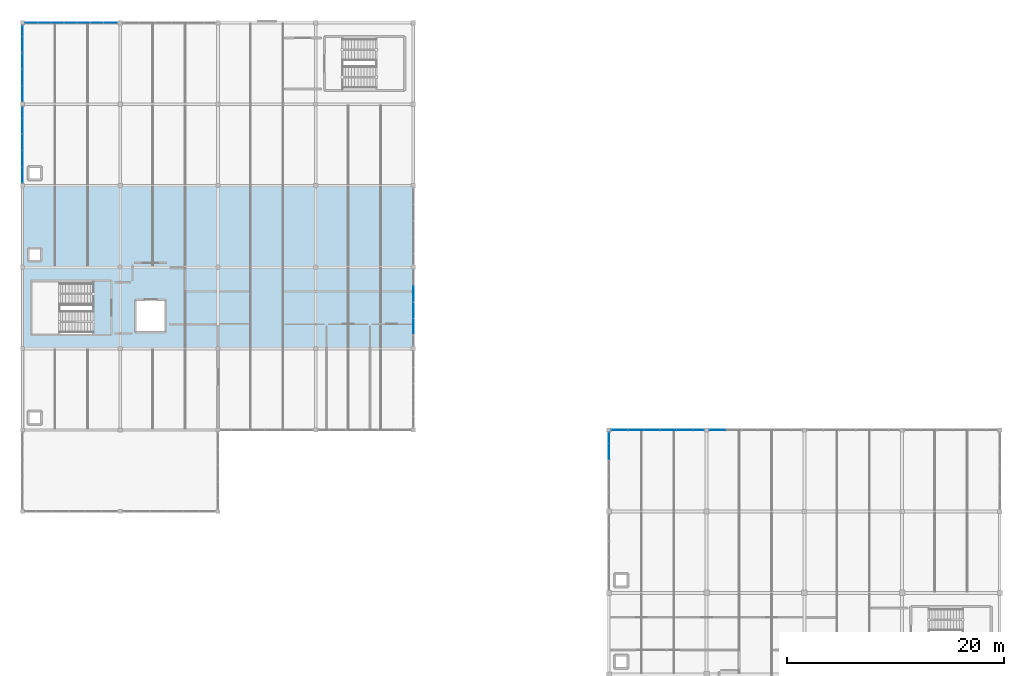
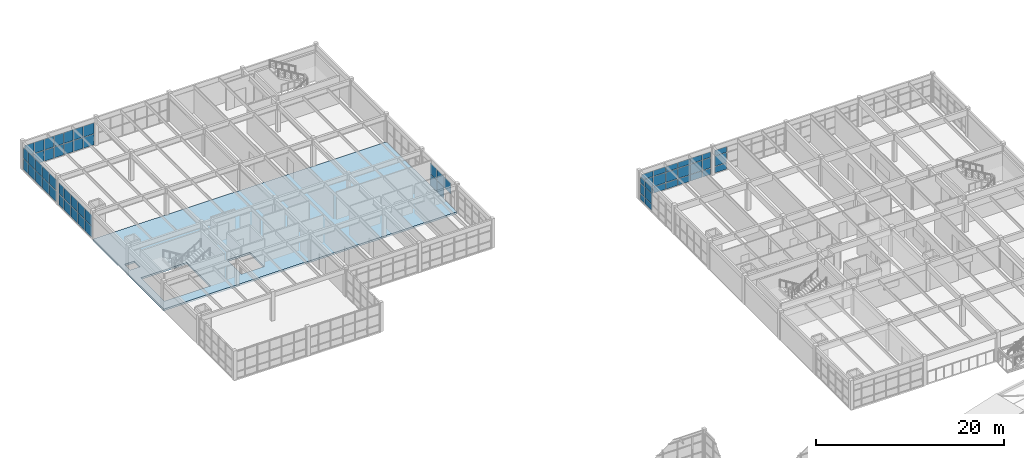
# One storey, part 58 of 81: 66 plates, 1 slab, 7 elements without a shape of their own.
"""IFC4 building model written with IfcOpenShell, lengths in metres."""

from ifc_helpers import new_model, si_unit, direction, frame, origin, origin_2d, place, context, subcontext, project, spatial, polyline, rectangle, outline, extrude, material, layer, layer_set, type_object, element, aggregate, save


model = new_model("IFC4")

# Units and contexts
model_context = context("Model", 3, precision=1e-05, world=origin(), true_north=direction((0.0, 1.0)))
body_context = subcontext(model_context, "Body", "Model", "MODEL_VIEW")
ifc_project = project(units=[si_unit("LENGTHUNIT", "METRE"), si_unit("AREAUNIT", "SQUARE_METRE"), si_unit("VOLUMEUNIT", "CUBIC_METRE"), si_unit("PLANEANGLEUNIT", "RADIAN"), si_unit("MASSUNIT", "GRAM", prefix="KILO")], contexts=[model_context])

# Site, building, storey
site_placement = place(None, origin())
site = spatial("IfcSite", under=ifc_project, at=site_placement, CompositionType="ELEMENT")
building_placement = place(site_placement, origin())
building = spatial("IfcBuilding", under=site, at=building_placement, Name="Marnridge Secondary College", CompositionType="ELEMENT")
storey_placement = place(building_placement, frame((0.0, 0.0, 8.5)))
storey = spatial("IfcBuildingStorey", under=building, at=storey_placement, Name="L02", CompositionType="ELEMENT", Elevation=8.5)

# Curtain wall, plates
ifc_material_1 = material(Name="Thermally broken aluminium and low-E glazing", Category="aluminium")
ifc_layer_1 = layer(ifc_material_1, 0.159912109375)
ifc_layer_set_1 = layer_set([ifc_layer_1], Name="CW-MOD-1500")
curtain_wall_type_1 = type_object("IfcCurtainWallType", Name="CW-MOD-1500", PredefinedType="NOTDEFINED", material=ifc_layer_set_1)
curtain_wall_1_placement = place(storey_placement, origin())
curtain_wall_1 = element("IfcCurtainWall", 1, at=curtain_wall_1_placement, inside=storey, type_object=curtain_wall_type_1, Name="Unitised curtain wall CW-L02-073", PredefinedType="NOTDEFINED")
ifc_material_2 = material(Name="Double-glazed low-E argon unit", Category="glass")
ifc_layer_2 = layer(ifc_material_2, 0.028076171875)
ifc_layer_set_2 = layer_set([ifc_layer_2], Name="CWP-GLZ28")
plate_type = type_object("IfcPlateType", Name="CWP-GLZ28", PredefinedType="CURTAIN_PANEL", material=ifc_layer_set_2)
plate_1_placement = place(storey_placement, frame((54.98388671875, 82.5, 0.06005859375), z_axis=(0.0, 0.0, 1.0), x_axis=(1.0, 0.0, 0.0)))
plate_1 = element("IfcPlate", 2, at=plate_1_placement, type_object=plate_type, Name="CW-L02-073 panel 1.1", PredefinedType="CURTAIN_PANEL", context=body_context, shape_type="SweptSolid", body=[
    extrude(rectangle(XDim=1.43994140625, YDim=0.028076171875, at=origin_2d()), origin(), (0.0, 0.0, 1.0), 0.81005859375),
])
plate_2_placement = place(storey_placement, frame((54.98388671875, 82.5, 0.929931640625), z_axis=(0.0, 0.0, 1.0), x_axis=(1.0, 0.0, 0.0)))
plate_2 = element("IfcPlate", 3, at=plate_2_placement, type_object=plate_type, Name="CW-L02-073 panel 1.2", PredefinedType="CURTAIN_PANEL", context=body_context, shape_type="SweptSolid", body=[
    extrude(rectangle(XDim=1.43994140625, YDim=0.028076171875, at=origin_2d()), origin(), (0.0, 0.0, 1.0), 1.2900390625),
])
plate_3_placement = place(storey_placement, frame((54.98388671875, 82.5, 2.280029296875), z_axis=(0.0, 0.0, 1.0), x_axis=(1.0, 0.0, 0.0)))
plate_3 = element("IfcPlate", 4, at=plate_3_placement, type_object=plate_type, Name="CW-L02-073 panel 1.3", PredefinedType="CURTAIN_PANEL", context=body_context, shape_type="SweptSolid", body=[
    extrude(rectangle(XDim=1.43994140625, YDim=0.028076171875, at=origin_2d()), origin(), (0.0, 0.0, 1.0), 0.70703125),
])
plate_4_placement = place(storey_placement, frame((56.48388671875, 82.5, 0.06005859375), z_axis=(0.0, 0.0, 1.0), x_axis=(1.0, 0.0, 0.0)))
plate_4 = element("IfcPlate", 5, at=plate_4_placement, type_object=plate_type, Name="CW-L02-073 panel 2.1", PredefinedType="CURTAIN_PANEL", context=body_context, shape_type="SweptSolid", body=[
    extrude(rectangle(XDim=1.43994140625, YDim=0.028076171875, at=origin_2d()), origin(), (0.0, 0.0, 1.0), 0.81005859375),
])
plate_5_placement = place(storey_placement, frame((56.48388671875, 82.5, 0.929931640625), z_axis=(0.0, 0.0, 1.0), x_axis=(1.0, 0.0, 0.0)))
plate_5 = element("IfcPlate", 6, at=plate_5_placement, type_object=plate_type, Name="CW-L02-073 panel 2.2", PredefinedType="CURTAIN_PANEL", context=body_context, shape_type="SweptSolid", body=[
    extrude(rectangle(XDim=1.43994140625, YDim=0.028076171875, at=origin_2d()), origin(), (0.0, 0.0, 1.0), 1.2900390625),
])
plate_6_placement = place(storey_placement, frame((56.48388671875, 82.5, 2.280029296875), z_axis=(0.0, 0.0, 1.0), x_axis=(1.0, 0.0, 0.0)))
plate_6 = element("IfcPlate", 7, at=plate_6_placement, type_object=plate_type, Name="CW-L02-073 panel 2.3", PredefinedType="CURTAIN_PANEL", context=body_context, shape_type="SweptSolid", body=[
    extrude(rectangle(XDim=1.43994140625, YDim=0.028076171875, at=origin_2d()), origin(), (0.0, 0.0, 1.0), 0.70703125),
])
plate_7_placement = place(storey_placement, frame((57.98388671875, 82.5, 0.06005859375), z_axis=(0.0, 0.0, 1.0), x_axis=(1.0, 0.0, 0.0)))
plate_7 = element("IfcPlate", 8, at=plate_7_placement, type_object=plate_type, Name="CW-L02-073 panel 3.1", PredefinedType="CURTAIN_PANEL", context=body_context, shape_type="SweptSolid", body=[
    extrude(rectangle(XDim=1.43994140625, YDim=0.028076171875, at=origin_2d()), origin(), (0.0, 0.0, 1.0), 0.81005859375),
])
plate_8_placement = place(storey_placement, frame((57.98388671875, 82.5, 0.929931640625), z_axis=(0.0, 0.0, 1.0), x_axis=(1.0, 0.0, 0.0)))
plate_8 = element("IfcPlate", 9, at=plate_8_placement, type_object=plate_type, Name="CW-L02-073 panel 3.2", PredefinedType="CURTAIN_PANEL", context=body_context, shape_type="SweptSolid", body=[
    extrude(rectangle(XDim=1.43994140625, YDim=0.028076171875, at=origin_2d()), origin(), (0.0, 0.0, 1.0), 1.2900390625),
])
plate_9_placement = place(storey_placement, frame((57.98388671875, 82.5, 2.280029296875), z_axis=(0.0, 0.0, 1.0), x_axis=(1.0, 0.0, 0.0)))
plate_9 = element("IfcPlate", 10, at=plate_9_placement, type_object=plate_type, Name="CW-L02-073 panel 3.3", PredefinedType="CURTAIN_PANEL", context=body_context, shape_type="SweptSolid", body=[
    extrude(rectangle(XDim=1.43994140625, YDim=0.028076171875, at=origin_2d()), origin(), (0.0, 0.0, 1.0), 0.70703125),
])
plate_10_placement = place(storey_placement, frame((59.48388671875, 82.5, 0.06005859375), z_axis=(0.0, 0.0, 1.0), x_axis=(1.0, 0.0, 0.0)))
plate_10 = element("IfcPlate", 11, at=plate_10_placement, type_object=plate_type, Name="CW-L02-073 panel 4.1", PredefinedType="CURTAIN_PANEL", context=body_context, shape_type="SweptSolid", body=[
    extrude(rectangle(XDim=1.43994140625, YDim=0.028076171875, at=origin_2d()), origin(), (0.0, 0.0, 1.0), 0.81005859375),
])
plate_11_placement = place(storey_placement, frame((59.48388671875, 82.5, 0.929931640625), z_axis=(0.0, 0.0, 1.0), x_axis=(1.0, 0.0, 0.0)))
plate_11 = element("IfcPlate", 12, at=plate_11_placement, type_object=plate_type, Name="CW-L02-073 panel 4.2", PredefinedType="CURTAIN_PANEL", context=body_context, shape_type="SweptSolid", body=[
    extrude(rectangle(XDim=1.43994140625, YDim=0.028076171875, at=origin_2d()), origin(), (0.0, 0.0, 1.0), 1.2900390625),
])
plate_12_placement = place(storey_placement, frame((59.48388671875, 82.5, 2.280029296875), z_axis=(0.0, 0.0, 1.0), x_axis=(1.0, 0.0, 0.0)))
plate_12 = element("IfcPlate", 13, at=plate_12_placement, type_object=plate_type, Name="CW-L02-073 panel 4.3", PredefinedType="CURTAIN_PANEL", context=body_context, shape_type="SweptSolid", body=[
    extrude(rectangle(XDim=1.43994140625, YDim=0.028076171875, at=origin_2d()), origin(), (0.0, 0.0, 1.0), 0.70703125),
])
plate_13_placement = place(storey_placement, frame((60.98388671875, 82.5, 0.06005859375), z_axis=(0.0, 0.0, 1.0), x_axis=(1.0, 0.0, 0.0)))
plate_13 = element("IfcPlate", 14, at=plate_13_placement, type_object=plate_type, Name="CW-L02-073 panel 5.1", PredefinedType="CURTAIN_PANEL", context=body_context, shape_type="SweptSolid", body=[
    extrude(rectangle(XDim=1.43994140625, YDim=0.028076171875, at=origin_2d()), origin(), (0.0, 0.0, 1.0), 0.81005859375),
])
plate_14_placement = place(storey_placement, frame((60.98388671875, 82.5, 0.929931640625), z_axis=(0.0, 0.0, 1.0), x_axis=(1.0, 0.0, 0.0)))
plate_14 = element("IfcPlate", 15, at=plate_14_placement, type_object=plate_type, Name="CW-L02-073 panel 5.2", PredefinedType="CURTAIN_PANEL", context=body_context, shape_type="SweptSolid", body=[
    extrude(rectangle(XDim=1.43994140625, YDim=0.028076171875, at=origin_2d()), origin(), (0.0, 0.0, 1.0), 1.2900390625),
])
plate_15_placement = place(storey_placement, frame((60.98388671875, 82.5, 2.280029296875), z_axis=(0.0, 0.0, 1.0), x_axis=(1.0, 0.0, 0.0)))
plate_15 = element("IfcPlate", 16, at=plate_15_placement, type_object=plate_type, Name="CW-L02-073 panel 5.3", PredefinedType="CURTAIN_PANEL", context=body_context, shape_type="SweptSolid", body=[
    extrude(rectangle(XDim=1.43994140625, YDim=0.028076171875, at=origin_2d()), origin(), (0.0, 0.0, 1.0), 0.70703125),
])
plate_16_placement = place(storey_placement, frame((62.25, 82.5, 0.06005859375), z_axis=(0.0, 0.0, 1.0), x_axis=(1.0, 0.0, 0.0)))
plate_16 = element("IfcPlate", 17, at=plate_16_placement, type_object=plate_type, Name="CW-L02-073 panel 6.1", PredefinedType="CURTAIN_PANEL", context=body_context, shape_type="SweptSolid", body=[
    extrude(rectangle(XDim=0.971923828125, YDim=0.028076171875, at=origin_2d()), origin(), (0.0, 0.0, 1.0), 0.81005859375),
])
plate_17_placement = place(storey_placement, frame((62.25, 82.5, 0.929931640625), z_axis=(0.0, 0.0, 1.0), x_axis=(1.0, 0.0, 0.0)))
plate_17 = element("IfcPlate", 18, at=plate_17_placement, type_object=plate_type, Name="CW-L02-073 panel 6.2", PredefinedType="CURTAIN_PANEL", context=body_context, shape_type="SweptSolid", body=[
    extrude(rectangle(XDim=0.971923828125, YDim=0.028076171875, at=origin_2d()), origin(), (0.0, 0.0, 1.0), 1.2900390625),
])
plate_18_placement = place(storey_placement, frame((62.25, 82.5, 2.280029296875), z_axis=(0.0, 0.0, 1.0), x_axis=(1.0, 0.0, 0.0)))
plate_18 = element("IfcPlate", 19, at=plate_18_placement, type_object=plate_type, Name="CW-L02-073 panel 6.3", PredefinedType="CURTAIN_PANEL", context=body_context, shape_type="SweptSolid", body=[
    extrude(rectangle(XDim=0.971923828125, YDim=0.028076171875, at=origin_2d()), origin(), (0.0, 0.0, 1.0), 0.70703125),
])
aggregate(curtain_wall_1, [plate_1, plate_2, plate_3, plate_4, plate_5, plate_6, plate_7, plate_8, plate_9, plate_10, plate_11, plate_12, plate_13, plate_14, plate_15, plate_16, plate_17, plate_18])

curtain_wall_2_placement = place(storey_placement, origin())
curtain_wall_2 = element("IfcCurtainWall", 20, at=curtain_wall_2_placement, inside=storey, type_object=curtain_wall_type_1, Name="Unitised curtain wall CW-L02-074", PredefinedType="NOTDEFINED")
plate_19_placement = place(storey_placement, frame((63.98388671875, 82.5, 0.06005859375), z_axis=(0.0, 0.0, 1.0), x_axis=(1.0, 0.0, 0.0)))
plate_19 = element("IfcPlate", 21, at=plate_19_placement, type_object=plate_type, Name="CW-L02-074 panel 1.1", PredefinedType="CURTAIN_PANEL", context=body_context, shape_type="SweptSolid", body=[
    extrude(rectangle(XDim=1.43994140625, YDim=0.028076171875, at=origin_2d()), origin(), (0.0, 0.0, 1.0), 0.81005859375),
])
plate_20_placement = place(storey_placement, frame((63.98388671875, 82.5, 0.929931640625), z_axis=(0.0, 0.0, 1.0), x_axis=(1.0, 0.0, 0.0)))
plate_20 = element("IfcPlate", 22, at=plate_20_placement, type_object=plate_type, Name="CW-L02-074 panel 1.2", PredefinedType="CURTAIN_PANEL", context=body_context, shape_type="SweptSolid", body=[
    extrude(rectangle(XDim=1.43994140625, YDim=0.028076171875, at=origin_2d()), origin(), (0.0, 0.0, 1.0), 1.2900390625),
])
plate_21_placement = place(storey_placement, frame((63.98388671875, 82.5, 2.280029296875), z_axis=(0.0, 0.0, 1.0), x_axis=(1.0, 0.0, 0.0)))
plate_21 = element("IfcPlate", 23, at=plate_21_placement, type_object=plate_type, Name="CW-L02-074 panel 1.3", PredefinedType="CURTAIN_PANEL", context=body_context, shape_type="SweptSolid", body=[
    extrude(rectangle(XDim=1.43994140625, YDim=0.028076171875, at=origin_2d()), origin(), (0.0, 0.0, 1.0), 0.70703125),
])
aggregate(curtain_wall_2, [plate_19, plate_20, plate_21])

curtain_wall_3_placement = place(storey_placement, origin())
curtain_wall_3 = element("IfcCurtainWall", 24, at=curtain_wall_3_placement, inside=storey, type_object=curtain_wall_type_1, Name="Unitised curtain wall CW-L02-084", PredefinedType="NOTDEFINED")
plate_22_placement = place(storey_placement, frame((54.0, 80.509033203125, 0.06005859375), z_axis=(0.0, 0.0, 1.0), x_axis=(0.0, 1.0, 0.0)))
plate_22 = element("IfcPlate", 25, at=plate_22_placement, type_object=plate_type, Name="CW-L02-084 panel 4.1", PredefinedType="CURTAIN_PANEL", context=body_context, shape_type="SweptSolid", body=[
    extrude(rectangle(XDim=1.43994140625, YDim=0.028076171875, at=origin_2d()), origin(), (0.0, 0.0, 1.0), 0.81005859375),
])
plate_23_placement = place(storey_placement, frame((54.0, 80.509033203125, 0.929931640625), z_axis=(0.0, 0.0, 1.0), x_axis=(0.0, 1.0, 0.0)))
plate_23 = element("IfcPlate", 26, at=plate_23_placement, type_object=plate_type, Name="CW-L02-084 panel 4.2", PredefinedType="CURTAIN_PANEL", context=body_context, shape_type="SweptSolid", body=[
    extrude(rectangle(XDim=1.43994140625, YDim=0.028076171875, at=origin_2d()), origin(), (0.0, 0.0, 1.0), 1.2900390625),
])
plate_24_placement = place(storey_placement, frame((54.0, 80.509033203125, 2.280029296875), z_axis=(0.0, 0.0, 1.0), x_axis=(0.0, 1.0, 0.0)))
plate_24 = element("IfcPlate", 27, at=plate_24_placement, type_object=plate_type, Name="CW-L02-084 panel 4.3", PredefinedType="CURTAIN_PANEL", context=body_context, shape_type="SweptSolid", body=[
    extrude(rectangle(XDim=1.43994140625, YDim=0.028076171875, at=origin_2d()), origin(), (0.0, 0.0, 1.0), 0.70703125),
])
plate_25_placement = place(storey_placement, frame((54.0, 81.762451171875, 0.06005859375), z_axis=(0.0, 0.0, 1.0), x_axis=(0.0, 1.0, 0.0)))
plate_25 = element("IfcPlate", 28, at=plate_25_placement, type_object=plate_type, Name="CW-L02-084 panel 5.1", PredefinedType="CURTAIN_PANEL", context=body_context, shape_type="SweptSolid", body=[
    extrude(rectangle(XDim=0.947021484375, YDim=0.028076171875, at=origin_2d()), origin(), (0.0, 0.0, 1.0), 0.81005859375),
])
plate_26_placement = place(storey_placement, frame((54.0, 81.762451171875, 0.929931640625), z_axis=(0.0, 0.0, 1.0), x_axis=(0.0, 1.0, 0.0)))
plate_26 = element("IfcPlate", 29, at=plate_26_placement, type_object=plate_type, Name="CW-L02-084 panel 5.2", PredefinedType="CURTAIN_PANEL", context=body_context, shape_type="SweptSolid", body=[
    extrude(rectangle(XDim=0.947021484375, YDim=0.028076171875, at=origin_2d()), origin(), (0.0, 0.0, 1.0), 1.2900390625),
])
plate_27_placement = place(storey_placement, frame((54.0, 81.762451171875, 2.280029296875), z_axis=(0.0, 0.0, 1.0), x_axis=(0.0, 1.0, 0.0)))
plate_27 = element("IfcPlate", 30, at=plate_27_placement, type_object=plate_type, Name="CW-L02-084 panel 5.3", PredefinedType="CURTAIN_PANEL", context=body_context, shape_type="SweptSolid", body=[
    extrude(rectangle(XDim=0.947021484375, YDim=0.028076171875, at=origin_2d()), origin(), (0.0, 0.0, 1.0), 0.70703125),
])
aggregate(curtain_wall_3, [plate_22, plate_23, plate_24, plate_25, plate_26, plate_27])

ifc_material_3 = material(Name="Thermally broken aluminium and low-E glazing", Category="aluminium")
ifc_layer_3 = layer(ifc_material_3, 0.179931640625)
ifc_layer_set_3 = layer_set([ifc_layer_3], Name="CW-MOD-1200")
curtain_wall_type_2 = type_object("IfcCurtainWallType", Name="CW-MOD-1200", PredefinedType="NOTDEFINED", material=ifc_layer_set_3)
curtain_wall_4_placement = place(storey_placement, origin())
curtain_wall_4 = element("IfcCurtainWall", 31, at=curtain_wall_4_placement, inside=storey, type_object=curtain_wall_type_2, Name="Unitised curtain wall CW-L02-087", PredefinedType="NOTDEFINED")
plate_28_placement = place(storey_placement, frame((0.83642578125, 120.0, 0.06005859375), z_axis=(0.0, 0.0, 1.0), x_axis=(1.0, 0.0, 0.0)))
plate_28 = element("IfcPlate", 32, at=plate_28_placement, type_object=plate_type, Name="CW-L02-087 panel 1.1", PredefinedType="CURTAIN_PANEL", context=body_context, shape_type="SweptSolid", body=[
    extrude(rectangle(XDim=1.135009765625, YDim=0.028076171875, at=origin_2d()), origin(), (0.0, 0.0, 1.0), 1.404052734375),
])
plate_29_placement = place(storey_placement, frame((0.83642578125, 120.0, 1.52392578125), z_axis=(0.0, 0.0, 1.0), x_axis=(1.0, 0.0, 0.0)))
plate_29 = element("IfcPlate", 33, at=plate_29_placement, type_object=plate_type, Name="CW-L02-087 panel 1.2", PredefinedType="CURTAIN_PANEL", context=body_context, shape_type="SweptSolid", body=[
    extrude(rectangle(XDim=1.135009765625, YDim=0.028076171875, at=origin_2d()), origin(), (0.0, 0.0, 1.0), 1.403076171875),
])
plate_30_placement = place(storey_placement, frame((2.03662109375, 120.0, 0.06005859375), z_axis=(0.0, 0.0, 1.0), x_axis=(1.0, 0.0, 0.0)))
plate_30 = element("IfcPlate", 34, at=plate_30_placement, type_object=plate_type, Name="CW-L02-087 panel 2.1", PredefinedType="CURTAIN_PANEL", context=body_context, shape_type="SweptSolid", body=[
    extrude(rectangle(XDim=1.135009765625, YDim=0.028076171875, at=origin_2d()), origin(), (0.0, 0.0, 1.0), 1.404052734375),
])
plate_31_placement = place(storey_placement, frame((2.03662109375, 120.0, 1.52392578125), z_axis=(0.0, 0.0, 1.0), x_axis=(1.0, 0.0, 0.0)))
plate_31 = element("IfcPlate", 35, at=plate_31_placement, type_object=plate_type, Name="CW-L02-087 panel 2.2", PredefinedType="CURTAIN_PANEL", context=body_context, shape_type="SweptSolid", body=[
    extrude(rectangle(XDim=1.135009765625, YDim=0.028076171875, at=origin_2d()), origin(), (0.0, 0.0, 1.0), 1.403076171875),
])
plate_32_placement = place(storey_placement, frame((3.236572265625, 120.0, 0.06005859375), z_axis=(0.0, 0.0, 1.0), x_axis=(1.0, 0.0, 0.0)))
plate_32 = element("IfcPlate", 36, at=plate_32_placement, type_object=plate_type, Name="CW-L02-087 panel 3.1", PredefinedType="CURTAIN_PANEL", context=body_context, shape_type="SweptSolid", body=[
    extrude(rectangle(XDim=1.135009765625, YDim=0.028076171875, at=origin_2d()), origin(), (0.0, 0.0, 1.0), 1.404052734375),
])
plate_33_placement = place(storey_placement, frame((3.236572265625, 120.0, 1.52392578125), z_axis=(0.0, 0.0, 1.0), x_axis=(1.0, 0.0, 0.0)))
plate_33 = element("IfcPlate", 37, at=plate_33_placement, type_object=plate_type, Name="CW-L02-087 panel 3.2", PredefinedType="CURTAIN_PANEL", context=body_context, shape_type="SweptSolid", body=[
    extrude(rectangle(XDim=1.135009765625, YDim=0.028076171875, at=origin_2d()), origin(), (0.0, 0.0, 1.0), 1.403076171875),
])
plate_34_placement = place(storey_placement, frame((4.4365234375, 120.0, 0.06005859375), z_axis=(0.0, 0.0, 1.0), x_axis=(1.0, 0.0, 0.0)))
plate_34 = element("IfcPlate", 38, at=plate_34_placement, type_object=plate_type, Name="CW-L02-087 panel 4.1", PredefinedType="CURTAIN_PANEL", context=body_context, shape_type="SweptSolid", body=[
    extrude(rectangle(XDim=1.135009765625, YDim=0.028076171875, at=origin_2d()), origin(), (0.0, 0.0, 1.0), 1.404052734375),
])
plate_35_placement = place(storey_placement, frame((4.4365234375, 120.0, 1.52392578125), z_axis=(0.0, 0.0, 1.0), x_axis=(1.0, 0.0, 0.0)))
plate_35 = element("IfcPlate", 39, at=plate_35_placement, type_object=plate_type, Name="CW-L02-087 panel 4.2", PredefinedType="CURTAIN_PANEL", context=body_context, shape_type="SweptSolid", body=[
    extrude(rectangle(XDim=1.135009765625, YDim=0.028076171875, at=origin_2d()), origin(), (0.0, 0.0, 1.0), 1.403076171875),
])
plate_36_placement = place(storey_placement, frame((5.636474609375, 120.0, 0.06005859375), z_axis=(0.0, 0.0, 1.0), x_axis=(1.0, 0.0, 0.0)))
plate_36 = element("IfcPlate", 40, at=plate_36_placement, type_object=plate_type, Name="CW-L02-087 panel 5.1", PredefinedType="CURTAIN_PANEL", context=body_context, shape_type="SweptSolid", body=[
    extrude(rectangle(XDim=1.135009765625, YDim=0.028076171875, at=origin_2d()), origin(), (0.0, 0.0, 1.0), 1.404052734375),
])
plate_37_placement = place(storey_placement, frame((5.636474609375, 120.0, 1.52392578125), z_axis=(0.0, 0.0, 1.0), x_axis=(1.0, 0.0, 0.0)))
plate_37 = element("IfcPlate", 41, at=plate_37_placement, type_object=plate_type, Name="CW-L02-087 panel 5.2", PredefinedType="CURTAIN_PANEL", context=body_context, shape_type="SweptSolid", body=[
    extrude(rectangle(XDim=1.135009765625, YDim=0.028076171875, at=origin_2d()), origin(), (0.0, 0.0, 1.0), 1.403076171875),
])
plate_38_placement = place(storey_placement, frame((6.83642578125, 120.0, 0.06005859375), z_axis=(0.0, 0.0, 1.0), x_axis=(1.0, 0.0, 0.0)))
plate_38 = element("IfcPlate", 42, at=plate_38_placement, type_object=plate_type, Name="CW-L02-087 panel 6.1", PredefinedType="CURTAIN_PANEL", context=body_context, shape_type="SweptSolid", body=[
    extrude(rectangle(XDim=1.135009765625, YDim=0.028076171875, at=origin_2d()), origin(), (0.0, 0.0, 1.0), 1.404052734375),
])
plate_39_placement = place(storey_placement, frame((6.83642578125, 120.0, 1.52392578125), z_axis=(0.0, 0.0, 1.0), x_axis=(1.0, 0.0, 0.0)))
plate_39 = element("IfcPlate", 43, at=plate_39_placement, type_object=plate_type, Name="CW-L02-087 panel 6.2", PredefinedType="CURTAIN_PANEL", context=body_context, shape_type="SweptSolid", body=[
    extrude(rectangle(XDim=1.135009765625, YDim=0.028076171875, at=origin_2d()), origin(), (0.0, 0.0, 1.0), 1.403076171875),
])
plate_40_placement = place(storey_placement, frame((8.10009765625, 120.0, 0.06005859375), z_axis=(0.0, 0.0, 1.0), x_axis=(1.0, 0.0, 0.0)))
plate_40 = element("IfcPlate", 44, at=plate_40_placement, type_object=plate_type, Name="CW-L02-087 panel 7.1", PredefinedType="CURTAIN_PANEL", context=body_context, shape_type="SweptSolid", body=[
    extrude(rectangle(XDim=1.261962890625, YDim=0.028076171875, at=origin_2d()), origin(), (0.0, 0.0, 1.0), 1.404052734375),
])
plate_41_placement = place(storey_placement, frame((8.10009765625, 120.0, 1.52392578125), z_axis=(0.0, 0.0, 1.0), x_axis=(1.0, 0.0, 0.0)))
plate_41 = element("IfcPlate", 45, at=plate_41_placement, type_object=plate_type, Name="CW-L02-087 panel 7.2", PredefinedType="CURTAIN_PANEL", context=body_context, shape_type="SweptSolid", body=[
    extrude(rectangle(XDim=1.261962890625, YDim=0.028076171875, at=origin_2d()), origin(), (0.0, 0.0, 1.0), 1.403076171875),
])
aggregate(curtain_wall_4, [plate_28, plate_29, plate_30, plate_31, plate_32, plate_33, plate_34, plate_35, plate_36, plate_37, plate_38, plate_39, plate_40, plate_41])

curtain_wall_5_placement = place(storey_placement, origin())
curtain_wall_5 = element("IfcCurtainWall", 46, at=curtain_wall_5_placement, inside=storey, type_object=curtain_wall_type_1, Name="Unitised curtain wall CW-L02-090", PredefinedType="NOTDEFINED")
plate_42_placement = place(storey_placement, frame((36.0, 95.01611328125, 0.06005859375), z_axis=(0.0, 0.0, 1.0), x_axis=(0.0, -1.0, 0.0)))
plate_42 = element("IfcPlate", 47, at=plate_42_placement, type_object=plate_type, Name="CW-L02-090 panel 2.1", PredefinedType="CURTAIN_PANEL", context=body_context, shape_type="SweptSolid", body=[
    extrude(rectangle(XDim=1.43994140625, YDim=0.028076171875, at=origin_2d()), origin(), (0.0, 0.0, 1.0), 1.404052734375),
])
plate_43_placement = place(storey_placement, frame((36.0, 95.01611328125, 1.52392578125), z_axis=(0.0, 0.0, 1.0), x_axis=(0.0, -1.0, 0.0)))
plate_43 = element("IfcPlate", 48, at=plate_43_placement, type_object=plate_type, Name="CW-L02-090 panel 2.2", PredefinedType="CURTAIN_PANEL", context=body_context, shape_type="SweptSolid", body=[
    extrude(rectangle(XDim=1.43994140625, YDim=0.028076171875, at=origin_2d()), origin(), (0.0, 0.0, 1.0), 1.403076171875),
])
plate_44_placement = place(storey_placement, frame((36.0, 93.51611328125, 0.06005859375), z_axis=(0.0, 0.0, 1.0), x_axis=(0.0, -1.0, 0.0)))
plate_44 = element("IfcPlate", 49, at=plate_44_placement, type_object=plate_type, Name="CW-L02-090 panel 3.1", PredefinedType="CURTAIN_PANEL", context=body_context, shape_type="SweptSolid", body=[
    extrude(rectangle(XDim=1.43994140625, YDim=0.028076171875, at=origin_2d()), origin(), (0.0, 0.0, 1.0), 1.404052734375),
])
plate_45_placement = place(storey_placement, frame((36.0, 93.51611328125, 1.52392578125), z_axis=(0.0, 0.0, 1.0), x_axis=(0.0, -1.0, 0.0)))
plate_45 = element("IfcPlate", 50, at=plate_45_placement, type_object=plate_type, Name="CW-L02-090 panel 3.2", PredefinedType="CURTAIN_PANEL", context=body_context, shape_type="SweptSolid", body=[
    extrude(rectangle(XDim=1.43994140625, YDim=0.028076171875, at=origin_2d()), origin(), (0.0, 0.0, 1.0), 1.403076171875),
])
plate_46_placement = place(storey_placement, frame((36.0, 92.01611328125, 1.52392578125), z_axis=(0.0, 0.0, 1.0), x_axis=(0.0, -1.0, 0.0)))
plate_46 = element("IfcPlate", 51, at=plate_46_placement, type_object=plate_type, Name="CW-L02-090 panel 4.2", PredefinedType="CURTAIN_PANEL", context=body_context, shape_type="SweptSolid", body=[
    extrude(rectangle(XDim=1.43994140625, YDim=0.028076171875, at=origin_2d()), origin(), (0.0, 0.0, 1.0), 1.403076171875),
])
aggregate(curtain_wall_5, [plate_42, plate_43, plate_44, plate_45, plate_46])

curtain_wall_6_placement = place(storey_placement, origin())
curtain_wall_6 = element("IfcCurtainWall", 52, at=curtain_wall_6_placement, inside=storey, type_object=curtain_wall_type_1, Name="Unitised curtain wall CW-L02-098", PredefinedType="NOTDEFINED")
plate_47_placement = place(storey_placement, frame((0.0, 105.98388671875, 0.06005859375), z_axis=(0.0, 0.0, 1.0), x_axis=(0.0, 1.0, 0.0)))
plate_47 = element("IfcPlate", 53, at=plate_47_placement, type_object=plate_type, Name="CW-L02-098 panel 1.1", PredefinedType="CURTAIN_PANEL", context=body_context, shape_type="SweptSolid", body=[
    extrude(rectangle(XDim=1.43994140625, YDim=0.028076171875, at=origin_2d()), origin(), (0.0, 0.0, 1.0), 1.404052734375),
])
plate_48_placement = place(storey_placement, frame((0.0, 105.98388671875, 1.52392578125), z_axis=(0.0, 0.0, 1.0), x_axis=(0.0, 1.0, 0.0)))
plate_48 = element("IfcPlate", 54, at=plate_48_placement, type_object=plate_type, Name="CW-L02-098 panel 1.2", PredefinedType="CURTAIN_PANEL", context=body_context, shape_type="SweptSolid", body=[
    extrude(rectangle(XDim=1.43994140625, YDim=0.028076171875, at=origin_2d()), origin(), (0.0, 0.0, 1.0), 1.403076171875),
])
plate_49_placement = place(storey_placement, frame((0.0, 107.48388671875, 0.06005859375), z_axis=(0.0, 0.0, 1.0), x_axis=(0.0, 1.0, 0.0)))
plate_49 = element("IfcPlate", 55, at=plate_49_placement, type_object=plate_type, Name="CW-L02-098 panel 2.1", PredefinedType="CURTAIN_PANEL", context=body_context, shape_type="SweptSolid", body=[
    extrude(rectangle(XDim=1.43994140625, YDim=0.028076171875, at=origin_2d()), origin(), (0.0, 0.0, 1.0), 1.404052734375),
])
plate_50_placement = place(storey_placement, frame((0.0, 107.48388671875, 1.52392578125), z_axis=(0.0, 0.0, 1.0), x_axis=(0.0, 1.0, 0.0)))
plate_50 = element("IfcPlate", 56, at=plate_50_placement, type_object=plate_type, Name="CW-L02-098 panel 2.2", PredefinedType="CURTAIN_PANEL", context=body_context, shape_type="SweptSolid", body=[
    extrude(rectangle(XDim=1.43994140625, YDim=0.028076171875, at=origin_2d()), origin(), (0.0, 0.0, 1.0), 1.403076171875),
])
plate_51_placement = place(storey_placement, frame((0.0, 108.98388671875, 0.06005859375), z_axis=(0.0, 0.0, 1.0), x_axis=(0.0, 1.0, 0.0)))
plate_51 = element("IfcPlate", 57, at=plate_51_placement, type_object=plate_type, Name="CW-L02-098 panel 3.1", PredefinedType="CURTAIN_PANEL", context=body_context, shape_type="SweptSolid", body=[
    extrude(rectangle(XDim=1.43994140625, YDim=0.028076171875, at=origin_2d()), origin(), (0.0, 0.0, 1.0), 1.404052734375),
])
plate_52_placement = place(storey_placement, frame((0.0, 108.98388671875, 1.52392578125), z_axis=(0.0, 0.0, 1.0), x_axis=(0.0, 1.0, 0.0)))
plate_52 = element("IfcPlate", 58, at=plate_52_placement, type_object=plate_type, Name="CW-L02-098 panel 3.2", PredefinedType="CURTAIN_PANEL", context=body_context, shape_type="SweptSolid", body=[
    extrude(rectangle(XDim=1.43994140625, YDim=0.028076171875, at=origin_2d()), origin(), (0.0, 0.0, 1.0), 1.403076171875),
])
plate_53_placement = place(storey_placement, frame((0.0, 110.48388671875, 0.06005859375), z_axis=(0.0, 0.0, 1.0), x_axis=(0.0, 1.0, 0.0)))
plate_53 = element("IfcPlate", 59, at=plate_53_placement, type_object=plate_type, Name="CW-L02-098 panel 4.1", PredefinedType="CURTAIN_PANEL", context=body_context, shape_type="SweptSolid", body=[
    extrude(rectangle(XDim=1.43994140625, YDim=0.028076171875, at=origin_2d()), origin(), (0.0, 0.0, 1.0), 1.404052734375),
])
plate_54_placement = place(storey_placement, frame((0.0, 110.48388671875, 1.52392578125), z_axis=(0.0, 0.0, 1.0), x_axis=(0.0, 1.0, 0.0)))
plate_54 = element("IfcPlate", 60, at=plate_54_placement, type_object=plate_type, Name="CW-L02-098 panel 4.2", PredefinedType="CURTAIN_PANEL", context=body_context, shape_type="SweptSolid", body=[
    extrude(rectangle(XDim=1.43994140625, YDim=0.028076171875, at=origin_2d()), origin(), (0.0, 0.0, 1.0), 1.403076171875),
])
plate_55_placement = place(storey_placement, frame((0.0, 111.75, 0.06005859375), z_axis=(0.0, 0.0, 1.0), x_axis=(0.0, 1.0, 0.0)))
plate_55 = element("IfcPlate", 61, at=plate_55_placement, type_object=plate_type, Name="CW-L02-098 panel 5.1", PredefinedType="CURTAIN_PANEL", context=body_context, shape_type="SweptSolid", body=[
    extrude(rectangle(XDim=0.971923828125, YDim=0.028076171875, at=origin_2d()), origin(), (0.0, 0.0, 1.0), 1.404052734375),
])
plate_56_placement = place(storey_placement, frame((0.0, 111.75, 1.52392578125), z_axis=(0.0, 0.0, 1.0), x_axis=(0.0, 1.0, 0.0)))
plate_56 = element("IfcPlate", 62, at=plate_56_placement, type_object=plate_type, Name="CW-L02-098 panel 5.2", PredefinedType="CURTAIN_PANEL", context=body_context, shape_type="SweptSolid", body=[
    extrude(rectangle(XDim=0.971923828125, YDim=0.028076171875, at=origin_2d()), origin(), (0.0, 0.0, 1.0), 1.403076171875),
])
aggregate(curtain_wall_6, [plate_47, plate_48, plate_49, plate_50, plate_51, plate_52, plate_53, plate_54, plate_55, plate_56])

curtain_wall_7_placement = place(storey_placement, origin())
curtain_wall_7 = element("IfcCurtainWall", 63, at=curtain_wall_7_placement, inside=storey, type_object=curtain_wall_type_1, Name="Unitised curtain wall CW-L02-099", PredefinedType="NOTDEFINED")
plate_57_placement = place(storey_placement, frame((0.0, 113.48388671875, 0.06005859375), z_axis=(0.0, 0.0, 1.0), x_axis=(0.0, 1.0, 0.0)))
plate_57 = element("IfcPlate", 64, at=plate_57_placement, type_object=plate_type, Name="CW-L02-099 panel 1.1", PredefinedType="CURTAIN_PANEL", context=body_context, shape_type="SweptSolid", body=[
    extrude(rectangle(XDim=1.43994140625, YDim=0.028076171875, at=origin_2d()), origin(), (0.0, 0.0, 1.0), 1.404052734375),
])
plate_58_placement = place(storey_placement, frame((0.0, 113.48388671875, 1.52392578125), z_axis=(0.0, 0.0, 1.0), x_axis=(0.0, 1.0, 0.0)))
plate_58 = element("IfcPlate", 65, at=plate_58_placement, type_object=plate_type, Name="CW-L02-099 panel 1.2", PredefinedType="CURTAIN_PANEL", context=body_context, shape_type="SweptSolid", body=[
    extrude(rectangle(XDim=1.43994140625, YDim=0.028076171875, at=origin_2d()), origin(), (0.0, 0.0, 1.0), 1.403076171875),
])
plate_59_placement = place(storey_placement, frame((0.0, 114.98388671875, 0.06005859375), z_axis=(0.0, 0.0, 1.0), x_axis=(0.0, 1.0, 0.0)))
plate_59 = element("IfcPlate", 66, at=plate_59_placement, type_object=plate_type, Name="CW-L02-099 panel 2.1", PredefinedType="CURTAIN_PANEL", context=body_context, shape_type="SweptSolid", body=[
    extrude(rectangle(XDim=1.43994140625, YDim=0.028076171875, at=origin_2d()), origin(), (0.0, 0.0, 1.0), 1.404052734375),
])
plate_60_placement = place(storey_placement, frame((0.0, 114.98388671875, 1.52392578125), z_axis=(0.0, 0.0, 1.0), x_axis=(0.0, 1.0, 0.0)))
plate_60 = element("IfcPlate", 67, at=plate_60_placement, type_object=plate_type, Name="CW-L02-099 panel 2.2", PredefinedType="CURTAIN_PANEL", context=body_context, shape_type="SweptSolid", body=[
    extrude(rectangle(XDim=1.43994140625, YDim=0.028076171875, at=origin_2d()), origin(), (0.0, 0.0, 1.0), 1.403076171875),
])
plate_61_placement = place(storey_placement, frame((0.0, 116.48388671875, 0.06005859375), z_axis=(0.0, 0.0, 1.0), x_axis=(0.0, 1.0, 0.0)))
plate_61 = element("IfcPlate", 68, at=plate_61_placement, type_object=plate_type, Name="CW-L02-099 panel 3.1", PredefinedType="CURTAIN_PANEL", context=body_context, shape_type="SweptSolid", body=[
    extrude(rectangle(XDim=1.43994140625, YDim=0.028076171875, at=origin_2d()), origin(), (0.0, 0.0, 1.0), 1.404052734375),
])
plate_62_placement = place(storey_placement, frame((0.0, 116.48388671875, 1.52392578125), z_axis=(0.0, 0.0, 1.0), x_axis=(0.0, 1.0, 0.0)))
plate_62 = element("IfcPlate", 69, at=plate_62_placement, type_object=plate_type, Name="CW-L02-099 panel 3.2", PredefinedType="CURTAIN_PANEL", context=body_context, shape_type="SweptSolid", body=[
    extrude(rectangle(XDim=1.43994140625, YDim=0.028076171875, at=origin_2d()), origin(), (0.0, 0.0, 1.0), 1.403076171875),
])
plate_63_placement = place(storey_placement, frame((0.0, 117.98388671875, 0.06005859375), z_axis=(0.0, 0.0, 1.0), x_axis=(0.0, 1.0, 0.0)))
plate_63 = element("IfcPlate", 70, at=plate_63_placement, type_object=plate_type, Name="CW-L02-099 panel 4.1", PredefinedType="CURTAIN_PANEL", context=body_context, shape_type="SweptSolid", body=[
    extrude(rectangle(XDim=1.43994140625, YDim=0.028076171875, at=origin_2d()), origin(), (0.0, 0.0, 1.0), 1.404052734375),
])
plate_64_placement = place(storey_placement, frame((0.0, 117.98388671875, 1.52392578125), z_axis=(0.0, 0.0, 1.0), x_axis=(0.0, 1.0, 0.0)))
plate_64 = element("IfcPlate", 71, at=plate_64_placement, type_object=plate_type, Name="CW-L02-099 panel 4.2", PredefinedType="CURTAIN_PANEL", context=body_context, shape_type="SweptSolid", body=[
    extrude(rectangle(XDim=1.43994140625, YDim=0.028076171875, at=origin_2d()), origin(), (0.0, 0.0, 1.0), 1.403076171875),
])
plate_65_placement = place(storey_placement, frame((0.0, 119.25, 0.06005859375), z_axis=(0.0, 0.0, 1.0), x_axis=(0.0, 1.0, 0.0)))
plate_65 = element("IfcPlate", 72, at=plate_65_placement, type_object=plate_type, Name="CW-L02-099 panel 5.1", PredefinedType="CURTAIN_PANEL", context=body_context, shape_type="SweptSolid", body=[
    extrude(rectangle(XDim=0.971923828125, YDim=0.028076171875, at=origin_2d()), origin(), (0.0, 0.0, 1.0), 1.404052734375),
])
plate_66_placement = place(storey_placement, frame((0.0, 119.25, 1.52392578125), z_axis=(0.0, 0.0, 1.0), x_axis=(0.0, 1.0, 0.0)))
plate_66 = element("IfcPlate", 73, at=plate_66_placement, type_object=plate_type, Name="CW-L02-099 panel 5.2", PredefinedType="CURTAIN_PANEL", context=body_context, shape_type="SweptSolid", body=[
    extrude(rectangle(XDim=0.971923828125, YDim=0.028076171875, at=origin_2d()), origin(), (0.0, 0.0, 1.0), 1.403076171875),
])
aggregate(curtain_wall_7, [plate_57, plate_58, plate_59, plate_60, plate_61, plate_62, plate_63, plate_64, plate_65, plate_66])

# Slab
ifc_material_4 = material(Name="Cross-laminated timber CL7", Category="wood")
ifc_layer_4 = layer(ifc_material_4, 0.239990234375)
ifc_layer_set_4 = layer_set([ifc_layer_4], Name="SL-CLT-240")
slab_type = type_object("IfcSlabType", Name="SL-CLT-240", PredefinedType="FLOOR", material=ifc_layer_set_4)
slab_placement = place(storey_placement, frame((0.0, 0.0, -0.239990234375)))
element("IfcSlab", 74, at=slab_placement, inside=storey, type_object=slab_type, Name="Floor slab SL-L02-033", PredefinedType="FLOOR", context=body_context, shape_type="SweptSolid", body=[
    extrude(outline(polyline([(36.0, 90.0), (0.0, 90.0), (0.0, 105.0), (36.0, 105.0), (36.0, 90.0)]), holes=[polyline([(0.800048828125, 91.25), (6.449951171875, 91.25), (6.449951171875, 96.25), (0.800048828125, 96.25), (0.800048828125, 91.25)]), polyline([(10.39990234375, 91.5), (13.199951171875, 91.5), (13.199951171875, 94.5), (10.39990234375, 94.5), (10.39990234375, 91.5)]), polyline([(0.550048828125, 98.050048828125), (1.75, 98.050048828125), (1.75, 99.25), (0.550048828125, 99.25), (0.550048828125, 98.050048828125)])]), origin(), (0.0, 0.0, 1.0), 0.239990234375),
])

save(model, "model.ifc")
